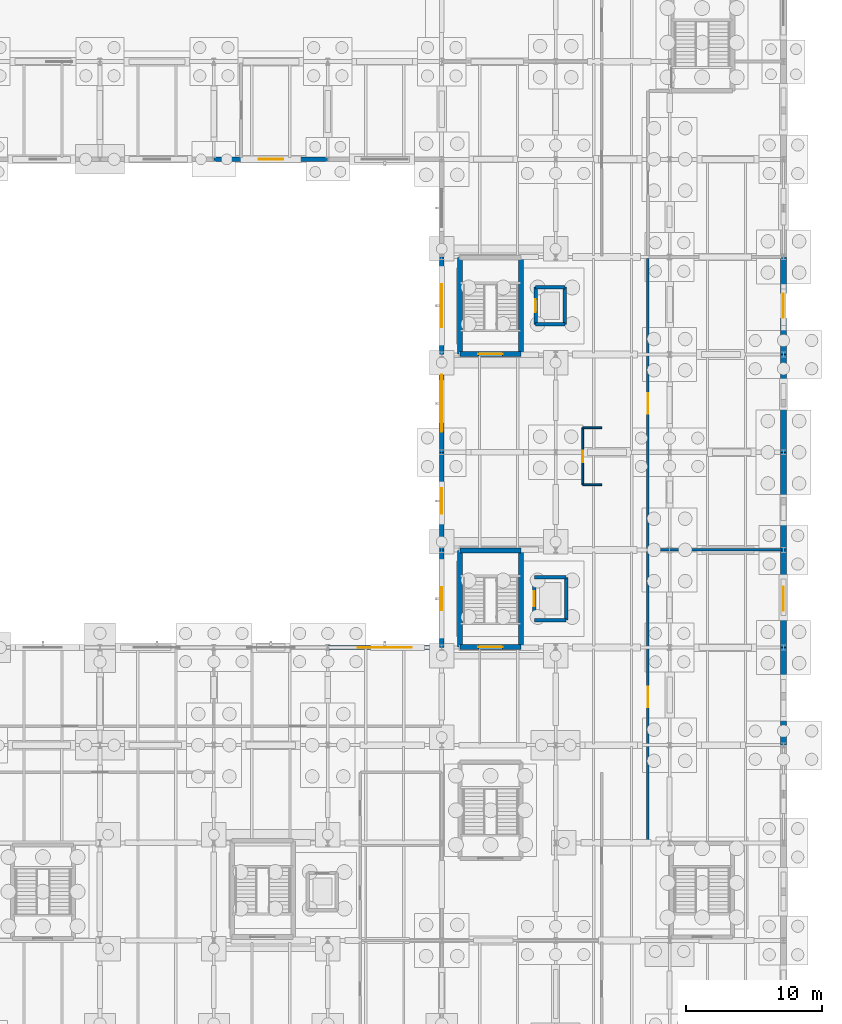
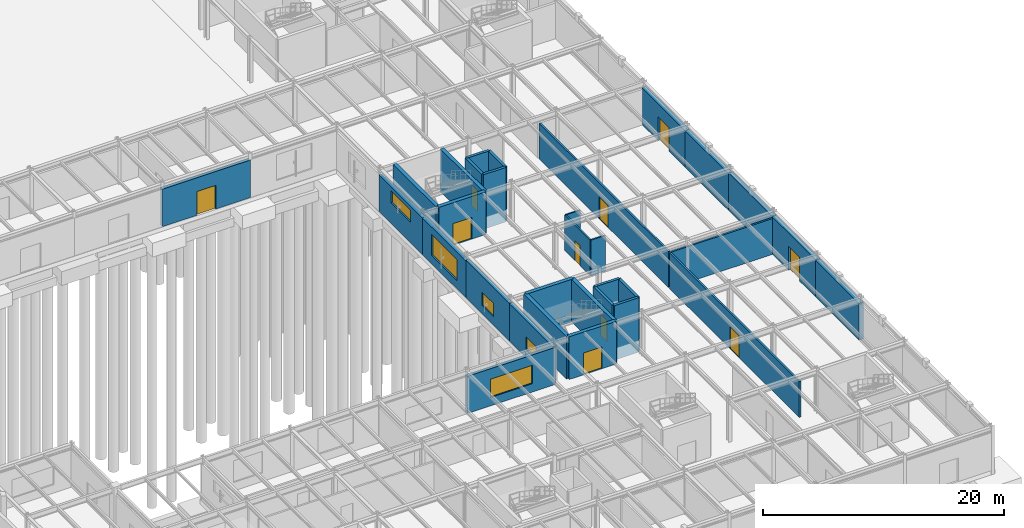
# One storey, part 64 of 93: 32 walls, 10 doors, 5 windows, 15 openings.
"""IFC4 building model written with IfcOpenShell, lengths in metres."""

from ifc_helpers import new_model, si_unit, derived_unit, direction, frame, frame_2d, origin, place, context, subcontext, project, spatial, rectangle, extrude, material, layer, layer_set, type_object, element, fill, save


model = new_model("IFC4")

# Units and contexts
model_context = context("Model", 3, precision=1e-05, world=origin(), true_north=direction((0.0, 1.0)))
body_context = subcontext(model_context, "Body", "Model", "MODEL_VIEW")
ifc_project = project(units=[si_unit("LENGTHUNIT", "METRE"), si_unit("AREAUNIT", "SQUARE_METRE"), si_unit("VOLUMEUNIT", "CUBIC_METRE"), si_unit("PLANEANGLEUNIT", "RADIAN"), si_unit("MASSUNIT", "GRAM", prefix="KILO"), derived_unit("THERMALTRANSMITTANCEUNIT", [(si_unit("MASSUNIT", "GRAM", prefix="KILO"), 1), (si_unit("TIMEUNIT", "SECOND"), -3), (si_unit("THERMODYNAMICTEMPERATUREUNIT", "KELVIN"), -1)])], contexts=[model_context])

# Site, building, storey
site_placement = place(None, origin())
site = spatial("IfcSite", under=ifc_project, at=site_placement, CompositionType="ELEMENT")
building_placement = place(site_placement, origin())
building = spatial("IfcBuilding", under=site, at=building_placement, Name="Kharveza Railside Sports Centre", CompositionType="ELEMENT")
storey_placement = place(building_placement, origin())
storey = spatial("IfcBuildingStorey", under=building, at=storey_placement, Name="L00", CompositionType="ELEMENT", Elevation=0.0)

# Wall
ifc_material_1 = material(Name="Precast concrete C40/50", Category="concrete")
ifc_layer_1 = layer(ifc_material_1, 0.419921875, Name="Precast concrete C40/50")
ifc_layer_set_1 = layer_set([ifc_layer_1], Name="Precast concrete C40/50")
wall_type_1 = type_object("IfcWallType", Name="WL-BM420", PredefinedType="SOLIDWALL", material=ifc_layer_set_1)
wall_1_placement = place(storey_placement, frame((168.0, 28.800048828125, 0.0), z_axis=(0.0, 0.0, 1.0), x_axis=(0.0, 1.0, 0.0)))
element("IfcWall", 1, at=wall_1_placement, inside=storey, type_object=wall_type_1, Name="WL-EXT-L00-018", PredefinedType="SOLIDWALL", context=body_context, shape_type="SweptSolid", body=[
    extrude(rectangle(XDim=7.199951171875, YDim=0.419921875, at=frame_2d((3.60009765625, 0.0))), origin(), (0.0, 0.0, 1.0), 3.705078125),
])

# Wall, opening, door
wall_2_placement = place(storey_placement, frame((168.0, 36.0, 0.0), z_axis=(0.0, 0.0, 1.0), x_axis=(0.0, 1.0, 0.0)))
wall_2 = element("IfcWall", 2, at=wall_2_placement, inside=storey, type_object=wall_type_1, Name="WL-EXT-L00-019", PredefinedType="SOLIDWALL", context=body_context, shape_type="SweptSolid", body=[
    extrude(rectangle(XDim=7.199951171875, YDim=0.419921875, at=frame_2d((3.60009765625, 0.0))), origin(), (0.0, 0.0, 1.0), 3.7548828125),
])
opening_1_placement = place(wall_2_placement, frame((2.699951171875, 0.0, 0.0)))
opening_1 = element("IfcOpeningElement", 3, at=opening_1_placement, cuts=wall_2, Name="Opening D03", PredefinedType="OPENING", context=body_context, shape_type="SweptSolid", body=[
    extrude(rectangle(XDim=1.800048828125, YDim=2.39990234375, at=frame_2d((0.89990234375, 1.199951171875))), frame((0.0, 0.23486328125, 0.0), z_axis=(0.0, -1.0, 0.0), x_axis=(1.0, 0.0, 0.0)), (0.0, 0.0, 1.0), 0.4697265625),
])
ifc_material_2 = material(Name="Anodised aluminium 6063-T6", Category="aluminium")
door_type_1 = type_object("IfcDoorType", Name="DR-EX03", OperationType="NOTDEFINED", PredefinedType="DOOR", material=ifc_material_2)
door_1_placement = place(opening_1_placement, frame((1.800048828125, 0.0, 0.0), z_axis=(0.0, 0.0, 1.0), x_axis=(-1.0, 0.0, 0.0)))
door_1 = element("IfcDoor", 4, at=door_1_placement, inside=storey, type_object=door_type_1, Name="DR-L00-EX-009", OperationType="DOUBLE_DOOR_SINGLE_SWING", OverallHeight=2.39990234375, OverallWidth=1.800048828125, PredefinedType="DOOR", context=body_context, shape_type="SweptSolid", body=[
    extrude(rectangle(XDim=1.800048828125, YDim=2.39990234375, at=frame_2d((0.89990234375, 1.199951171875))), frame((0.0, 0.02490234375, 0.0), z_axis=(0.0, -1.0, 0.0), x_axis=(1.0, 0.0, 0.0)), (0.0, 0.0, 1.0), 0.050048828125),
])
fill(opening_1, door_1)

# Walls
wall_3_placement = place(storey_placement, frame((168.0, 43.199951171875, 0.0), z_axis=(0.0, 0.0, 1.0), x_axis=(0.0, 1.0, 0.0)))
element("IfcWall", 5, at=wall_3_placement, inside=storey, type_object=wall_type_1, Name="WL-EXT-L00-020", PredefinedType="SOLIDWALL", context=body_context, shape_type="SweptSolid", body=[
    extrude(rectangle(XDim=7.199951171875, YDim=0.419921875, at=frame_2d((3.60009765625, 0.0))), origin(), (0.0, 0.0, 1.0), 3.804931640625),
])
wall_4_placement = place(storey_placement, frame((168.0, 50.39990234375, 0.0), z_axis=(0.0, 0.0, 1.0), x_axis=(0.0, 1.0, 0.0)))
element("IfcWall", 6, at=wall_4_placement, inside=storey, type_object=wall_type_1, Name="WL-EXT-L00-021", PredefinedType="SOLIDWALL", context=body_context, shape_type="SweptSolid", body=[
    extrude(rectangle(XDim=7.2001953125, YDim=0.419921875, at=frame_2d((3.60009765625, 0.0))), origin(), (0.0, 0.0, 1.0), 3.705078125),
])

# Wall, opening, door
wall_5_placement = place(storey_placement, frame((168.0, 57.60009765625, 0.0), z_axis=(0.0, 0.0, 1.0), x_axis=(0.0, 1.0, 0.0)))
wall_5 = element("IfcWall", 7, at=wall_5_placement, inside=storey, type_object=wall_type_1, Name="WL-EXT-L00-022", PredefinedType="SOLIDWALL", context=body_context, shape_type="SweptSolid", body=[
    extrude(rectangle(XDim=7.199951171875, YDim=0.419921875, at=frame_2d((3.60009765625, 0.0))), origin(), (0.0, 0.0, 1.0), 3.705078125),
])
opening_2_placement = place(wall_5_placement, frame((2.699951171875, 0.0, 0.0)))
opening_2 = element("IfcOpeningElement", 8, at=opening_2_placement, cuts=wall_5, Name="Opening D03", PredefinedType="OPENING", context=body_context, shape_type="SweptSolid", body=[
    extrude(rectangle(XDim=1.800048828125, YDim=2.39990234375, at=frame_2d((0.89990234375, 1.199951171875))), frame((0.0, 0.23486328125, 0.0), z_axis=(0.0, -1.0, 0.0), x_axis=(1.0, 0.0, 0.0)), (0.0, 0.0, 1.0), 0.4697265625),
])
door_2_placement = place(opening_2_placement, frame((1.800048828125, 0.0, 0.0), z_axis=(0.0, 0.0, 1.0), x_axis=(-1.0, 0.0, 0.0)))
door_2 = element("IfcDoor", 9, at=door_2_placement, inside=storey, type_object=door_type_1, Name="DR-L00-EX-010", OperationType="DOUBLE_DOOR_SINGLE_SWING", OverallHeight=2.39990234375, OverallWidth=1.800048828125, PredefinedType="DOOR", context=body_context, shape_type="SweptSolid", body=[
    extrude(rectangle(XDim=1.800048828125, YDim=2.39990234375, at=frame_2d((0.89990234375, 1.199951171875))), frame((0.0, 0.02490234375, 0.0), z_axis=(0.0, -1.0, 0.0), x_axis=(1.0, 0.0, 0.0)), (0.0, 0.0, 1.0), 0.050048828125),
])
fill(opening_2, door_2)

# Walls
ifc_material_3 = material(Name="Concrete C35/45", Category="concrete")
ifc_layer_2 = layer(ifc_material_3, 0.25, Name="Concrete C35/45")
ifc_layer_set_2 = layer_set([ifc_layer_2], Name="Concrete C35/45")
wall_type_2 = type_object("IfcWallType", Name="WL-CR250", PredefinedType="SHEAR", material=ifc_layer_set_2)
wall_6_placement = place(storey_placement, frame((149.625, 38.02490234375, -1.199951171875), z_axis=(0.0, 0.0, 1.0), x_axis=(1.0, 0.0, 0.0)))
element("IfcWall", 10, at=wall_6_placement, inside=storey, type_object=wall_type_2, Name="WL-LFSH-LF1-L00-S", PredefinedType="SHEAR", context=body_context, shape_type="SweptSolid", body=[
    extrude(rectangle(XDim=2.35009765625, YDim=0.25, at=frame_2d((1.175048828125, 0.0))), origin(), (0.0, 0.0, 1.0), 5.52001953125),
])
wall_7_placement = place(storey_placement, frame((151.97509765625, 38.02490234375, -1.199951171875), z_axis=(0.0, 0.0, 1.0), x_axis=(0.0, 1.0, 0.0)))
element("IfcWall", 11, at=wall_7_placement, inside=storey, type_object=wall_type_2, Name="WL-LFSH-LF1-L00-E", PredefinedType="SHEAR", context=body_context, shape_type="SweptSolid", body=[
    extrude(rectangle(XDim=3.150146484375, YDim=0.25, at=frame_2d((1.5751953125, 0.0))), origin(), (0.0, 0.0, 1.0), 5.52001953125),
])
wall_8_placement = place(storey_placement, frame((151.97509765625, 41.175048828125, -1.199951171875), z_axis=(0.0, 0.0, 1.0), x_axis=(-1.0, 0.0, 0.0)))
element("IfcWall", 12, at=wall_8_placement, inside=storey, type_object=wall_type_2, Name="WL-LFSH-LF1-L00-N", PredefinedType="SHEAR", context=body_context, shape_type="SweptSolid", body=[
    extrude(rectangle(XDim=2.35009765625, YDim=0.25, at=frame_2d((1.175048828125, 0.0))), origin(), (0.0, 0.0, 1.0), 5.52001953125),
])

# Wall, opening, door
wall_9_placement = place(storey_placement, frame((149.625, 41.175048828125, -1.199951171875), z_axis=(0.0, 0.0, 1.0), x_axis=(0.0, -1.0, 0.0)))
wall_9 = element("IfcWall", 13, at=wall_9_placement, inside=storey, type_object=wall_type_2, Name="WL-LFSH-LF1-L00-W", PredefinedType="SHEAR", context=body_context, shape_type="SweptSolid", body=[
    extrude(rectangle(XDim=3.150146484375, YDim=0.25, at=frame_2d((1.5751953125, 0.0))), origin(), (0.0, 0.0, 1.0), 5.52001953125),
])
opening_3_placement = place(wall_9_placement, frame((1.02490234375, 0.0, 1.199951171875)))
opening_3 = element("IfcOpeningElement", 14, at=opening_3_placement, cuts=wall_9, Name="Opening D11", PredefinedType="OPENING", context=body_context, shape_type="SweptSolid", body=[
    extrude(rectangle(XDim=1.10009765625, YDim=2.10009765625, at=frame_2d((0.550048828125, 1.050048828125))), frame((0.0, 0.14990234375, 0.0), z_axis=(0.0, -1.0, 0.0), x_axis=(1.0, 0.0, 0.0)), (0.0, 0.0, 1.0), 0.2998046875),
])
ifc_material_4 = material(Name="Brushed stainless steel landing door", Category="steel")
door_type_2 = type_object("IfcDoorType", Name="DR-LF01", OperationType="NOTDEFINED", PredefinedType="DOOR", material=ifc_material_4)
door_3_placement = place(opening_3_placement, origin())
door_3 = element("IfcDoor", 15, at=door_3_placement, inside=storey, type_object=door_type_2, Name="DR-LD-LF1-L00", OperationType="SLIDING_TO_LEFT", OverallHeight=2.10009765625, OverallWidth=1.10009765625, PredefinedType="DOOR", context=body_context, shape_type="SweptSolid", body=[
    extrude(rectangle(XDim=1.10009765625, YDim=2.10009765625, at=frame_2d((0.550048828125, 1.050048828125))), frame((0.0, 0.02490234375, 0.0), z_axis=(0.0, -1.0, 0.0), x_axis=(1.0, 0.0, 0.0)), (0.0, 0.0, 1.0), 0.050048828125),
])
fill(opening_3, door_3)

# Walls
wall_10_placement = place(storey_placement, frame((149.72509765625, 59.824951171875, -1.199951171875), z_axis=(0.0, 0.0, 1.0), x_axis=(1.0, 0.0, 0.0)))
element("IfcWall", 16, at=wall_10_placement, inside=storey, type_object=wall_type_2, Name="WL-LFSH-LF2-L00-S", PredefinedType="SHEAR", context=body_context, shape_type="SweptSolid", body=[
    extrude(rectangle(XDim=2.14990234375, YDim=0.25, at=frame_2d((1.074951171875, 0.0))), origin(), (0.0, 0.0, 1.0), 5.52001953125),
])
wall_11_placement = place(storey_placement, frame((151.875, 59.824951171875, -1.199951171875), z_axis=(0.0, 0.0, 1.0), x_axis=(0.0, 1.0, 0.0)))
element("IfcWall", 17, at=wall_11_placement, inside=storey, type_object=wall_type_2, Name="WL-LFSH-LF2-L00-E", PredefinedType="SHEAR", context=body_context, shape_type="SweptSolid", body=[
    extrude(rectangle(XDim=2.75, YDim=0.25, at=frame_2d((1.375, 0.0))), origin(), (0.0, 0.0, 1.0), 5.52001953125),
])
wall_12_placement = place(storey_placement, frame((151.875, 62.574951171875, -1.199951171875), z_axis=(0.0, 0.0, 1.0), x_axis=(-1.0, 0.0, 0.0)))
element("IfcWall", 18, at=wall_12_placement, inside=storey, type_object=wall_type_2, Name="WL-LFSH-LF2-L00-N", PredefinedType="SHEAR", context=body_context, shape_type="SweptSolid", body=[
    extrude(rectangle(XDim=2.14990234375, YDim=0.25, at=frame_2d((1.074951171875, 0.0))), origin(), (0.0, 0.0, 1.0), 5.52001953125),
])

# Wall, opening, door
wall_13_placement = place(storey_placement, frame((149.72509765625, 62.574951171875, -1.199951171875), z_axis=(0.0, 0.0, 1.0), x_axis=(0.0, -1.0, 0.0)))
wall_13 = element("IfcWall", 19, at=wall_13_placement, inside=storey, type_object=wall_type_2, Name="WL-LFSH-LF2-L00-W", PredefinedType="SHEAR", context=body_context, shape_type="SweptSolid", body=[
    extrude(rectangle(XDim=2.75, YDim=0.25, at=frame_2d((1.375, 0.0))), origin(), (0.0, 0.0, 1.0), 5.52001953125),
])
opening_4_placement = place(wall_13_placement, frame((0.89990234375, 0.0, 1.199951171875)))
opening_4 = element("IfcOpeningElement", 20, at=opening_4_placement, cuts=wall_13, Name="Opening D12", PredefinedType="OPENING", context=body_context, shape_type="SweptSolid", body=[
    extrude(rectangle(XDim=0.949951171875, YDim=2.10009765625, at=frame_2d((0.47509765625, 1.050048828125))), frame((0.0, 0.14990234375, 0.0), z_axis=(0.0, -1.0, 0.0), x_axis=(1.0, 0.0, 0.0)), (0.0, 0.0, 1.0), 0.2998046875),
])
door_type_3 = type_object("IfcDoorType", Name="DR-LF02", OperationType="NOTDEFINED", PredefinedType="DOOR", material=ifc_material_4)
door_4_placement = place(opening_4_placement, origin())
door_4 = element("IfcDoor", 21, at=door_4_placement, inside=storey, type_object=door_type_3, Name="DR-LD-LF2-L00", OperationType="SLIDING_TO_LEFT", OverallHeight=2.10009765625, OverallWidth=0.949951171875, PredefinedType="DOOR", context=body_context, shape_type="SweptSolid", body=[
    extrude(rectangle(XDim=0.949951171875, YDim=2.10009765625, at=frame_2d((0.47509765625, 1.050048828125))), frame((0.0, 0.02490234375, 0.0), z_axis=(0.0, -1.0, 0.0), x_axis=(1.0, 0.0, 0.0)), (0.0, 0.0, 1.0), 0.050048828125),
])
fill(opening_4, door_4)

ifc_layer_3 = layer(ifc_material_3, 0.35009765625, Name="Concrete C35/45")
ifc_layer_set_3 = layer_set([ifc_layer_3], Name="Concrete C35/45")
wall_type_3 = type_object("IfcWallType", Name="WL-CR350", PredefinedType="SHEAR", material=ifc_layer_set_3)
wall_14_placement = place(storey_placement, frame((144.14990234375, 36.050048828125, 0.0), z_axis=(0.0, 0.0, 1.0), x_axis=(1.0, 0.0, 0.0)))
wall_14 = element("IfcWall", 22, at=wall_14_placement, inside=storey, type_object=wall_type_3, Name="WL-CORE-ST1-L00-S", PredefinedType="SHEAR", context=body_context, shape_type="SweptSolid", body=[
    extrude(rectangle(XDim=4.5, YDim=0.35009765625, at=frame_2d((2.25, 0.0))), origin(), (0.0, 0.0, 1.0), 4.320068359375),
])
opening_5_placement = place(wall_14_placement, frame((1.35009765625, 0.0, 0.0)))
opening_5 = element("IfcOpeningElement", 23, at=opening_5_placement, cuts=wall_14, Name="Opening D08", PredefinedType="OPENING", context=body_context, shape_type="SweptSolid", body=[
    extrude(rectangle(XDim=1.800048828125, YDim=2.199951171875, at=frame_2d((0.89990234375, 1.10009765625))), frame((0.0, 0.199951171875, 0.0), z_axis=(0.0, -1.0, 0.0), x_axis=(1.0, 0.0, 0.0)), (0.0, 0.0, 1.0), 0.39990234375),
])
ifc_material_5 = material(Name="Fire-rated hardwood door leaf", Category="wood")
door_type_4 = type_object("IfcDoorType", Name="DR-ST01", OperationType="NOTDEFINED", PredefinedType="DOOR", material=ifc_material_5)
door_5_placement = place(opening_5_placement, frame((1.800048828125, 0.0, 0.0), z_axis=(0.0, 0.0, 1.0), x_axis=(-1.0, 0.0, 0.0)))
door_5 = element("IfcDoor", 24, at=door_5_placement, inside=storey, type_object=door_type_4, Name="DR-ST-ST1-L00", OperationType="DOUBLE_DOOR_SINGLE_SWING", OverallHeight=2.199951171875, OverallWidth=1.800048828125, PredefinedType="DOOR", context=body_context, shape_type="SweptSolid", body=[
    extrude(rectangle(XDim=1.800048828125, YDim=2.199951171875, at=frame_2d((0.89990234375, 1.10009765625))), frame((0.0, 0.02490234375, 0.0), z_axis=(0.0, -1.0, 0.0), x_axis=(1.0, 0.0, 0.0)), (0.0, 0.0, 1.0), 0.050048828125),
])
fill(opening_5, door_5)

# Walls
wall_15_placement = place(storey_placement, frame((148.64990234375, 36.050048828125, 0.0), z_axis=(0.0, 0.0, 1.0), x_axis=(0.0, 1.0, 0.0)))
element("IfcWall", 25, at=wall_15_placement, inside=storey, type_object=wall_type_3, Name="WL-CORE-ST1-L00-E", PredefinedType="SHEAR", context=body_context, shape_type="SweptSolid", body=[
    extrude(rectangle(XDim=7.099853515625, YDim=0.35009765625, at=frame_2d((3.5498046875, 0.0))), origin(), (0.0, 0.0, 1.0), 4.320068359375),
])
wall_16_placement = place(storey_placement, frame((148.64990234375, 43.14990234375, 0.0), z_axis=(0.0, 0.0, 1.0), x_axis=(-1.0, 0.0, 0.0)))
element("IfcWall", 26, at=wall_16_placement, inside=storey, type_object=wall_type_3, Name="WL-CORE-ST1-L00-N", PredefinedType="SHEAR", context=body_context, shape_type="SweptSolid", body=[
    extrude(rectangle(XDim=4.5, YDim=0.35009765625, at=frame_2d((2.25, 0.0))), origin(), (0.0, 0.0, 1.0), 4.320068359375),
])
wall_17_placement = place(storey_placement, frame((144.14990234375, 43.14990234375, 0.0), z_axis=(0.0, 0.0, 1.0), x_axis=(0.0, -1.0, 0.0)))
element("IfcWall", 27, at=wall_17_placement, inside=storey, type_object=wall_type_3, Name="WL-CORE-ST1-L00-W", PredefinedType="SHEAR", context=body_context, shape_type="SweptSolid", body=[
    extrude(rectangle(XDim=7.099853515625, YDim=0.35009765625, at=frame_2d((3.5498046875, 0.0))), origin(), (0.0, 0.0, 1.0), 4.320068359375),
])

# Wall, opening, door
wall_18_placement = place(storey_placement, frame((144.14990234375, 57.64990234375, 0.0), z_axis=(0.0, 0.0, 1.0), x_axis=(1.0, 0.0, 0.0)))
wall_18 = element("IfcWall", 28, at=wall_18_placement, inside=storey, type_object=wall_type_3, Name="WL-CORE-ST2-L00-S", PredefinedType="SHEAR", context=body_context, shape_type="SweptSolid", body=[
    extrude(rectangle(XDim=4.5, YDim=0.35009765625, at=frame_2d((2.25, 0.0))), origin(), (0.0, 0.0, 1.0), 4.320068359375),
])
opening_6_placement = place(wall_18_placement, frame((1.35009765625, 0.0, 0.0)))
opening_6 = element("IfcOpeningElement", 29, at=opening_6_placement, cuts=wall_18, Name="Opening D08", PredefinedType="OPENING", context=body_context, shape_type="SweptSolid", body=[
    extrude(rectangle(XDim=1.800048828125, YDim=2.199951171875, at=frame_2d((0.89990234375, 1.10009765625))), frame((0.0, 0.199951171875, 0.0), z_axis=(0.0, -1.0, 0.0), x_axis=(1.0, 0.0, 0.0)), (0.0, 0.0, 1.0), 0.39990234375),
])
door_6_placement = place(opening_6_placement, frame((1.800048828125, 0.0, 0.0), z_axis=(0.0, 0.0, 1.0), x_axis=(-1.0, 0.0, 0.0)))
door_6 = element("IfcDoor", 30, at=door_6_placement, inside=storey, type_object=door_type_4, Name="DR-ST-ST2-L00", OperationType="DOUBLE_DOOR_SINGLE_SWING", OverallHeight=2.199951171875, OverallWidth=1.800048828125, PredefinedType="DOOR", context=body_context, shape_type="SweptSolid", body=[
    extrude(rectangle(XDim=1.800048828125, YDim=2.199951171875, at=frame_2d((0.89990234375, 1.10009765625))), frame((0.0, 0.02490234375, 0.0), z_axis=(0.0, -1.0, 0.0), x_axis=(1.0, 0.0, 0.0)), (0.0, 0.0, 1.0), 0.050048828125),
])
fill(opening_6, door_6)

# Walls
for number, where, z_axis, x_axis, name in (
    (31, (148.64990234375, 57.64990234375, 0.0), (0.0, 0.0, 1.0), (0.0, 1.0, 0.0), "WL-CORE-ST2-L00-E"),
    (32, (144.14990234375, 64.75, 0.0), (0.0, 0.0, 1.0), (0.0, -1.0, 0.0), "WL-CORE-ST2-L00-W"),
):
    element("IfcWall", number, at=place(storey_placement, frame(where, z_axis=z_axis, x_axis=x_axis)), inside=storey, type_object=wall_type_3, Name=name, PredefinedType="SHEAR", context=body_context, shape_type="SweptSolid", body=[
        extrude(rectangle(XDim=7.10009765625, YDim=0.35009765625, at=frame_2d((3.550048828125, 0.0))), origin(), (0.0, 0.0, 1.0), 4.320068359375),
    ])

# Wall, opening, door
ifc_layer_4 = layer(ifc_material_1, 0.320068359375, Name="Precast concrete C40/50")
ifc_layer_set_4 = layer_set([ifc_layer_4], Name="Precast concrete C40/50")
wall_type_4 = type_object("IfcWallType", Name="WL-EX320", PredefinedType="STANDARD", material=ifc_layer_set_4)
wall_19_placement = place(storey_placement, frame((126.0, 72.0, 0.0), z_axis=(0.0, 0.0, 1.0), x_axis=(1.0, 0.0, 0.0)))
wall_19 = element("IfcWall", 33, at=wall_19_placement, inside=storey, type_object=wall_type_4, Name="WL-EXT-L00-047", PredefinedType="STANDARD", context=body_context, shape_type="SweptSolid", body=[
    extrude(rectangle(XDim=8.39990234375, YDim=0.320068359375, at=frame_2d((4.199951171875, 0.0))), origin(), (0.0, 0.0, 1.0), 3.804931640625),
])
opening_7_placement = place(wall_19_placement, frame((3.300048828125, 0.0, 0.0)))
opening_7 = element("IfcOpeningElement", 34, at=opening_7_placement, cuts=wall_19, Name="Opening D03", PredefinedType="OPENING", context=body_context, shape_type="SweptSolid", body=[
    extrude(rectangle(XDim=1.800048828125, YDim=2.39990234375, at=frame_2d((0.89990234375, 1.199951171875))), frame((0.0, 0.18505859375, 0.0), z_axis=(0.0, -1.0, 0.0), x_axis=(1.0, 0.0, 0.0)), (0.0, 0.0, 1.0), 0.369873046875),
])
door_7_placement = place(opening_7_placement, frame((1.800048828125, 0.0, 0.0), z_axis=(0.0, 0.0, 1.0), x_axis=(-1.0, 0.0, 0.0)))
door_7 = element("IfcDoor", 35, at=door_7_placement, inside=storey, type_object=door_type_1, Name="DR-L00-EX-024", OperationType="DOUBLE_DOOR_SINGLE_SWING", OverallHeight=2.39990234375, OverallWidth=1.800048828125, PredefinedType="DOOR", context=body_context, shape_type="SweptSolid", body=[
    extrude(rectangle(XDim=1.800048828125, YDim=2.39990234375, at=frame_2d((0.89990234375, 1.199951171875))), frame((0.0, 0.02490234375, 0.0), z_axis=(0.0, -1.0, 0.0), x_axis=(1.0, 0.0, 0.0)), (0.0, 0.0, 1.0), 0.050048828125),
])
fill(opening_7, door_7)

# Wall, opening, window
wall_20_placement = place(storey_placement, frame((142.800048828125, 64.800048828125, 0.0), z_axis=(0.0, 0.0, 1.0), x_axis=(0.0, -1.0, 0.0)))
wall_20 = element("IfcWall", 36, at=wall_20_placement, inside=storey, type_object=wall_type_4, Name="WL-EXT-L00-050", PredefinedType="STANDARD", context=body_context, shape_type="SweptSolid", body=[
    extrude(rectangle(XDim=7.199951171875, YDim=0.320068359375, at=frame_2d((3.60009765625, 0.0))), origin(), (0.0, 0.0, 1.0), 3.705078125),
])
opening_8_placement = place(wall_20_placement, frame((2.0, 0.0, 2.10009765625)))
opening_8 = element("IfcOpeningElement", 37, at=opening_8_placement, cuts=wall_20, Name="Opening WN08", PredefinedType="OPENING", context=body_context, shape_type="SweptSolid", body=[
    extrude(rectangle(XDim=3.199951171875, YDim=1.199951171875, at=frame_2d((1.60009765625, 0.60009765625))), frame((0.0, 0.18505859375, 0.0), z_axis=(0.0, -1.0, 0.0), x_axis=(1.0, 0.0, 0.0)), (0.0, 0.0, 1.0), 0.369873046875),
])
ifc_material_6 = material(Name="Low-E solar-control laminated glass", Category="glass")
window_type_1 = type_object("IfcWindowType", Name="WN-F08", PartitioningType="SINGLE_PANEL", PredefinedType="WINDOW", material=ifc_material_6)
window_1_placement = place(opening_8_placement, origin())
window_1 = element("IfcWindow", 38, at=window_1_placement, inside=storey, type_object=window_type_1, Name="WN-EXT-L00-004", OverallHeight=1.199951171875, OverallWidth=3.199951171875, PartitioningType="SINGLE_PANEL", PredefinedType="WINDOW", context=body_context, shape_type="SweptSolid", body=[
    extrude(rectangle(XDim=3.199951171875, YDim=1.199951171875, at=frame_2d((1.60009765625, 0.60009765625))), frame((0.0, 0.030029296875, 0.0), z_axis=(0.0, -1.0, 0.0), x_axis=(1.0, 0.0, 0.0)), (0.0, 0.0, 1.0), 0.06005859375),
])
fill(opening_8, window_1)

wall_21_placement = place(storey_placement, frame((142.800048828125, 57.60009765625, 0.0), z_axis=(0.0, 0.0, 1.0), x_axis=(0.0, -1.0, 0.0)))
wall_21 = element("IfcWall", 39, at=wall_21_placement, inside=storey, type_object=wall_type_4, Name="WL-EXT-L00-051", PredefinedType="STANDARD", context=body_context, shape_type="SweptSolid", body=[
    extrude(rectangle(XDim=7.2001953125, YDim=0.320068359375, at=frame_2d((3.60009765625, 0.0))), origin(), (0.0, 0.0, 1.0), 3.705078125),
])
opening_9_placement = place(wall_21_placement, frame((1.5, 0.0, 0.85009765625)))
opening_9 = element("IfcOpeningElement", 40, at=opening_9_placement, cuts=wall_21, Name="Opening WN10", PredefinedType="OPENING", context=body_context, shape_type="SweptSolid", body=[
    extrude(rectangle(XDim=4.199951171875, YDim=2.10009765625, at=frame_2d((2.10009765625, 1.050048828125))), frame((0.0, 0.18505859375, 0.0), z_axis=(0.0, -1.0, 0.0), x_axis=(1.0, 0.0, 0.0)), (0.0, 0.0, 1.0), 0.369873046875),
])
window_type_2 = type_object("IfcWindowType", Name="WN-F10", PartitioningType="SINGLE_PANEL", PredefinedType="WINDOW", material=ifc_material_6)
window_2_placement = place(opening_9_placement, origin())
window_2 = element("IfcWindow", 41, at=window_2_placement, inside=storey, type_object=window_type_2, Name="WN-EXT-L00-005", OverallHeight=2.10009765625, OverallWidth=4.199951171875, PartitioningType="SINGLE_PANEL", PredefinedType="WINDOW", context=body_context, shape_type="SweptSolid", body=[
    extrude(rectangle(XDim=4.199951171875, YDim=2.10009765625, at=frame_2d((2.10009765625, 1.050048828125))), frame((0.0, 0.030029296875, 0.0), z_axis=(0.0, -1.0, 0.0), x_axis=(1.0, 0.0, 0.0)), (0.0, 0.0, 1.0), 0.06005859375),
])
fill(opening_9, window_2)

wall_22_placement = place(storey_placement, frame((142.800048828125, 50.39990234375, 0.0), z_axis=(0.0, 0.0, 1.0), x_axis=(0.0, -1.0, 0.0)))
wall_22 = element("IfcWall", 42, at=wall_22_placement, inside=storey, type_object=wall_type_4, Name="WL-EXT-L00-052", PredefinedType="STANDARD", context=body_context, shape_type="SweptSolid", body=[
    extrude(rectangle(XDim=7.199951171875, YDim=0.320068359375, at=frame_2d((3.60009765625, 0.0))), origin(), (0.0, 0.0, 1.0), 3.804931640625),
])
opening_10_placement = place(wall_22_placement, frame((2.64990234375, 0.0, 0.85009765625)))
opening_10 = element("IfcOpeningElement", 43, at=opening_10_placement, cuts=wall_22, Name="Opening WN24", PredefinedType="OPENING", context=body_context, shape_type="SweptSolid", body=[
    extrude(rectangle(XDim=1.89990234375, YDim=1.35009765625, at=frame_2d((0.949951171875, 0.675048828125))), frame((0.0, 0.18505859375, 0.0), z_axis=(0.0, -1.0, 0.0), x_axis=(1.0, 0.0, 0.0)), (0.0, 0.0, 1.0), 0.369873046875),
])
window_type_3 = type_object("IfcWindowType", Name="WN-Z08", PartitioningType="SINGLE_PANEL", PredefinedType="WINDOW", material=ifc_material_6)
window_3_placement = place(opening_10_placement, origin())
window_3 = element("IfcWindow", 44, at=window_3_placement, inside=storey, type_object=window_type_3, Name="WN-EXT-L00-006", OverallHeight=1.35009765625, OverallWidth=1.89990234375, PartitioningType="SINGLE_PANEL", PredefinedType="WINDOW", context=body_context, shape_type="SweptSolid", body=[
    extrude(rectangle(XDim=1.89990234375, YDim=1.35009765625, at=frame_2d((0.949951171875, 0.675048828125))), frame((0.0, 0.030029296875, 0.0), z_axis=(0.0, -1.0, 0.0), x_axis=(1.0, 0.0, 0.0)), (0.0, 0.0, 1.0), 0.06005859375),
])
fill(opening_10, window_3)

wall_23_placement = place(storey_placement, frame((142.800048828125, 43.199951171875, 0.0), z_axis=(0.0, 0.0, 1.0), x_axis=(0.0, -1.0, 0.0)))
wall_23 = element("IfcWall", 45, at=wall_23_placement, inside=storey, type_object=wall_type_4, Name="WL-EXT-L00-053", PredefinedType="STANDARD", context=body_context, shape_type="SweptSolid", body=[
    extrude(rectangle(XDim=7.199951171875, YDim=0.320068359375, at=frame_2d((3.60009765625, 0.0))), origin(), (0.0, 0.0, 1.0), 3.7548828125),
])
opening_11_placement = place(wall_23_placement, frame((2.75, 0.0, 0.85009765625)))
opening_11 = element("IfcOpeningElement", 46, at=opening_11_placement, cuts=wall_23, Name="Opening WN25", PredefinedType="OPENING", context=body_context, shape_type="SweptSolid", body=[
    extrude(rectangle(XDim=1.699951171875, YDim=1.25, at=frame_2d((0.85009765625, 0.625))), frame((0.0, 0.18505859375, 0.0), z_axis=(0.0, -1.0, 0.0), x_axis=(1.0, 0.0, 0.0)), (0.0, 0.0, 1.0), 0.369873046875),
])
window_type_4 = type_object("IfcWindowType", Name="WN-Z09", PartitioningType="SINGLE_PANEL", PredefinedType="WINDOW", material=ifc_material_6)
window_4_placement = place(opening_11_placement, origin())
window_4 = element("IfcWindow", 47, at=window_4_placement, inside=storey, type_object=window_type_4, Name="WN-EXT-L00-007", OverallHeight=1.25, OverallWidth=1.699951171875, PartitioningType="SINGLE_PANEL", PredefinedType="WINDOW", context=body_context, shape_type="SweptSolid", body=[
    extrude(rectangle(XDim=1.699951171875, YDim=1.25, at=frame_2d((0.85009765625, 0.625))), frame((0.0, 0.030029296875, 0.0), z_axis=(0.0, -1.0, 0.0), x_axis=(1.0, 0.0, 0.0)), (0.0, 0.0, 1.0), 0.06005859375),
])
fill(opening_11, window_4)

wall_24_placement = place(storey_placement, frame((142.800048828125, 36.0, 0.0), z_axis=(0.0, 0.0, 1.0), x_axis=(-1.0, 0.0, 0.0)))
wall_24 = element("IfcWall", 48, at=wall_24_placement, inside=storey, type_object=wall_type_4, Name="WL-EXT-L00-054", PredefinedType="STANDARD", context=body_context, shape_type="SweptSolid", body=[
    extrude(rectangle(XDim=8.400146484375, YDim=0.320068359375, at=frame_2d((4.2001953125, 0.0))), origin(), (0.0, 0.0, 1.0), 3.7548828125),
])
opening_12_placement = place(wall_24_placement, frame((2.199951171875, 0.0, 0.85009765625)))
opening_12 = element("IfcOpeningElement", 49, at=opening_12_placement, cuts=wall_24, Name="Opening WN27", PredefinedType="OPENING", context=body_context, shape_type="SweptSolid", body=[
    extrude(rectangle(XDim=4.0, YDim=1.85009765625, at=frame_2d((2.0, 0.925048828125))), frame((0.0, 0.18505859375, 0.0), z_axis=(0.0, -1.0, 0.0), x_axis=(1.0, 0.0, 0.0)), (0.0, 0.0, 1.0), 0.369873046875),
])
window_type_5 = type_object("IfcWindowType", Name="WN-Z11", PartitioningType="SINGLE_PANEL", PredefinedType="WINDOW", material=ifc_material_6)
window_5_placement = place(opening_12_placement, origin())
window_5 = element("IfcWindow", 50, at=window_5_placement, inside=storey, type_object=window_type_5, Name="WN-EXT-L00-008", OverallHeight=1.85009765625, OverallWidth=4.0, PartitioningType="SINGLE_PANEL", PredefinedType="WINDOW", context=body_context, shape_type="SweptSolid", body=[
    extrude(rectangle(XDim=4.0, YDim=1.85009765625, at=frame_2d((2.0, 0.925048828125))), frame((0.0, 0.030029296875, 0.0), z_axis=(0.0, -1.0, 0.0), x_axis=(1.0, 0.0, 0.0)), (0.0, 0.0, 1.0), 0.06005859375),
])
fill(opening_12, window_5)

# Wall, opening, door
ifc_layer_5 = layer(ifc_material_3, 0.1298828125, Name="Concrete C35/45")
ifc_layer_set_5 = layer_set([ifc_layer_5], Name="Concrete C35/45")
wall_type_5 = type_object("IfcWallType", Name="WL-PT130", PredefinedType="PARTITIONING", material=ifc_layer_set_5)
wall_25_placement = place(storey_placement, frame((153.199951171875, 48.0, 0.0), z_axis=(0.0, 0.0, 1.0), x_axis=(0.0, 1.0, 0.0)))
wall_25 = element("IfcWall", 51, at=wall_25_placement, inside=storey, type_object=wall_type_5, Name="WL-INT-L00-042", PredefinedType="PARTITIONING", context=body_context, shape_type="SweptSolid", body=[
    extrude(rectangle(XDim=4.199951171875, YDim=0.1298828125, at=frame_2d((2.10009765625, 0.0))), origin(), (0.0, 0.0, 1.0), 3.6201171875),
])
opening_13_placement = place(wall_25_placement, frame((1.675048828125, 0.0, 0.0)))
opening_13 = element("IfcOpeningElement", 52, at=opening_13_placement, cuts=wall_25, Name="Opening D23", PredefinedType="OPENING", context=body_context, shape_type="SweptSolid", body=[
    extrude(rectangle(XDim=0.85009765625, YDim=2.050048828125, at=frame_2d((0.425048828125, 1.02490234375))), frame((0.0, 0.08984375, 0.0), z_axis=(0.0, -1.0, 0.0), x_axis=(1.0, 0.0, 0.0)), (0.0, 0.0, 1.0), 0.1796875),
])
door_type_5 = type_object("IfcDoorType", Name="DR-TP01", OperationType="NOTDEFINED", PredefinedType="TRAPDOOR", material=ifc_material_5)
door_8_placement = place(opening_13_placement, origin())
door_8 = element("IfcDoor", 53, at=door_8_placement, inside=storey, type_object=door_type_5, Name="DR-INT-L00-026", OperationType="SINGLE_SWING_LEFT", OverallHeight=2.050048828125, OverallWidth=0.85009765625, PredefinedType="TRAPDOOR", context=body_context, shape_type="SweptSolid", body=[
    extrude(rectangle(XDim=0.85009765625, YDim=2.050048828125, at=frame_2d((0.425048828125, 1.02490234375))), frame((0.0, 0.02490234375, 0.0), z_axis=(0.0, -1.0, 0.0), x_axis=(1.0, 0.0, 0.0)), (0.0, 0.0, 1.0), 0.050048828125),
])
fill(opening_13, door_8)

# Walls
for number, where, z_axis, x_axis, name in (
    (54, (153.199951171875, 52.199951171875, 0.0), (0.0, 0.0, 1.0), (1.0, 0.0, 0.0), "WL-INT-L00-043"),
    (55, (153.199951171875, 48.0, 0.0), (0.0, 0.0, 1.0), (1.0, 0.0, 0.0), "WL-INT-L00-044"),
):
    element("IfcWall", number, at=place(storey_placement, frame(where, z_axis=z_axis, x_axis=x_axis)), inside=storey, type_object=wall_type_5, Name=name, PredefinedType="PARTITIONING", context=body_context, shape_type="SweptSolid", body=[
        extrude(rectangle(XDim=1.400146484375, YDim=0.1298828125, at=frame_2d((0.7001953125, 0.0))), origin(), (0.0, 0.0, 1.0), 3.6201171875),
    ])

# Wall, opening, door
ifc_material_7 = material(Name="Gypsum board acoustic stud partition")
ifc_layer_6 = layer(ifc_material_7, 0.175048828125, Name="Gypsum board acoustic stud partition")
ifc_layer_set_6 = layer_set([ifc_layer_6], Name="Gypsum board acoustic stud partition")
wall_type_6 = type_object("IfcWallType", Name="WL-PT175", PredefinedType="PARTITIONING", material=ifc_layer_set_6)
wall_26_placement = place(storey_placement, frame((158.0, 21.60009765625, 0.0), z_axis=(0.0, 0.0, 1.0), x_axis=(0.0, 1.0, 0.0)))
wall_26 = element("IfcWall", 56, at=wall_26_placement, inside=storey, type_object=wall_type_6, Name="WL-INT-L00-028", PredefinedType="PARTITIONING", context=body_context, shape_type="SweptSolid", body=[
    extrude(rectangle(XDim=21.5, YDim=0.175048828125, at=frame_2d((10.75, 0.0))), origin(), (0.0, 0.0, 1.0), 3.6201171875),
])
opening_14_placement = place(wall_26_placement, frame((10.0, 0.0, 0.0)))
opening_14 = element("IfcOpeningElement", 57, at=opening_14_placement, cuts=wall_26, Name="Opening D15", PredefinedType="OPENING", context=body_context, shape_type="SweptSolid", body=[
    extrude(rectangle(XDim=1.5, YDim=2.199951171875, at=frame_2d((0.75, 1.10009765625))), frame((0.0, 0.1123046875, 0.0), z_axis=(0.0, -1.0, 0.0), x_axis=(1.0, 0.0, 0.0)), (0.0, 0.0, 1.0), 0.224853515625),
])
door_type_6 = type_object("IfcDoorType", Name="DR-IN03", OperationType="NOTDEFINED", PredefinedType="DOOR", material=ifc_material_5)
door_9_placement = place(opening_14_placement, origin())
door_9 = element("IfcDoor", 58, at=door_9_placement, inside=storey, type_object=door_type_6, Name="DR-INT-L00-020", OperationType="DOUBLE_DOOR_SINGLE_SWING", OverallHeight=2.199951171875, OverallWidth=1.5, PredefinedType="DOOR", context=body_context, shape_type="SweptSolid", body=[
    extrude(rectangle(XDim=1.5, YDim=2.199951171875, at=frame_2d((0.75, 1.10009765625))), frame((0.0, 0.02490234375, 0.0), z_axis=(0.0, -1.0, 0.0), x_axis=(1.0, 0.0, 0.0)), (0.0, 0.0, 1.0), 0.050048828125),
])
fill(opening_14, door_9)

wall_27_placement = place(storey_placement, frame((158.0, 43.300048828125, 0.0), z_axis=(0.0, 0.0, 1.0), x_axis=(0.0, 1.0, 0.0)))
wall_27 = element("IfcWall", 59, at=wall_27_placement, inside=storey, type_object=wall_type_6, Name="WL-INT-L00-029", PredefinedType="PARTITIONING", context=body_context, shape_type="SweptSolid", body=[
    extrude(rectangle(XDim=21.39990234375, YDim=0.175048828125, at=frame_2d((10.699951171875, 0.0))), origin(), (0.0, 0.0, 1.0), 3.6201171875),
])
opening_15_placement = place(wall_27_placement, frame((9.949951171875, 0.0, 0.0)))
opening_15 = element("IfcOpeningElement", 60, at=opening_15_placement, cuts=wall_27, Name="Opening D15", PredefinedType="OPENING", context=body_context, shape_type="SweptSolid", body=[
    extrude(rectangle(XDim=1.5, YDim=2.199951171875, at=frame_2d((0.75, 1.10009765625))), frame((0.0, 0.1123046875, 0.0), z_axis=(0.0, -1.0, 0.0), x_axis=(1.0, 0.0, 0.0)), (0.0, 0.0, 1.0), 0.224853515625),
])
door_10_placement = place(opening_15_placement, frame((1.5, 0.0, 0.0), z_axis=(0.0, 0.0, 1.0), x_axis=(-1.0, 0.0, 0.0)))
door_10 = element("IfcDoor", 61, at=door_10_placement, inside=storey, type_object=door_type_6, Name="DR-INT-L00-021", OperationType="DOUBLE_DOOR_SINGLE_SWING", OverallHeight=2.199951171875, OverallWidth=1.5, PredefinedType="DOOR", context=body_context, shape_type="SweptSolid", body=[
    extrude(rectangle(XDim=1.5, YDim=2.199951171875, at=frame_2d((0.75, 1.10009765625))), frame((0.0, 0.02490234375, 0.0), z_axis=(0.0, -1.0, 0.0), x_axis=(1.0, 0.0, 0.0)), (0.0, 0.0, 1.0), 0.050048828125),
])
fill(opening_15, door_10)

# Wall
wall_28_placement = place(storey_placement, frame((158.10009765625, 43.199951171875, 0.0), z_axis=(0.0, 0.0, 1.0), x_axis=(1.0, 0.0, 0.0)))
element("IfcWall", 62, at=wall_28_placement, inside=storey, type_object=wall_type_6, Name="WL-INT-L00-030", PredefinedType="PARTITIONING", context=body_context, shape_type="SweptSolid", body=[
    extrude(rectangle(XDim=9.75, YDim=0.175048828125, at=frame_2d((4.875, 0.0))), origin(), (0.0, 0.0, 1.0), 3.6201171875),
])

save(model, "model.ifc")
